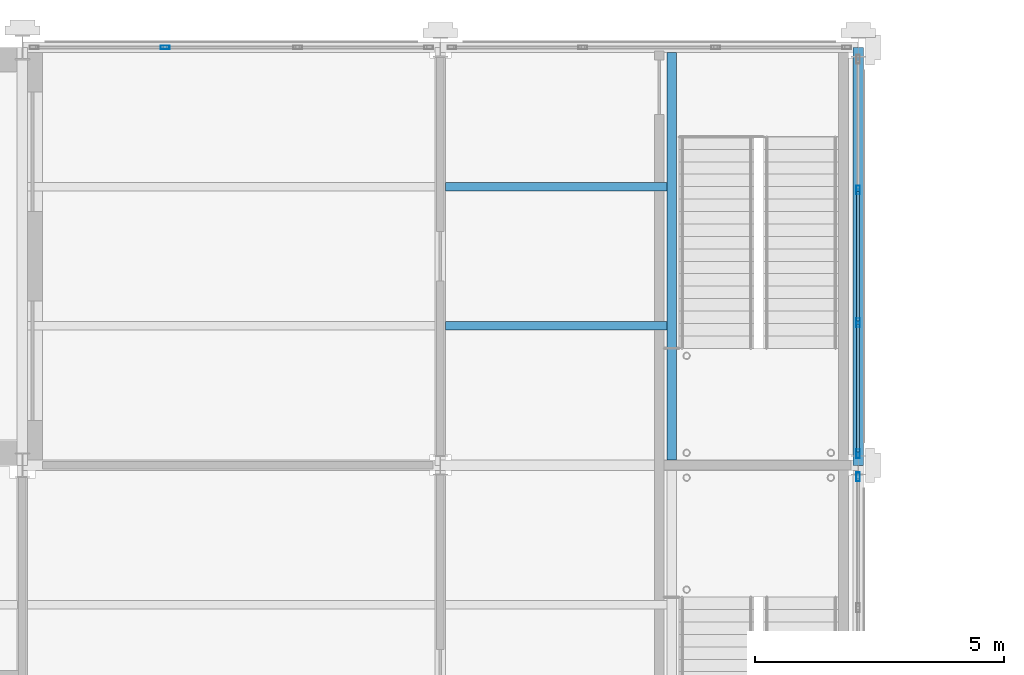
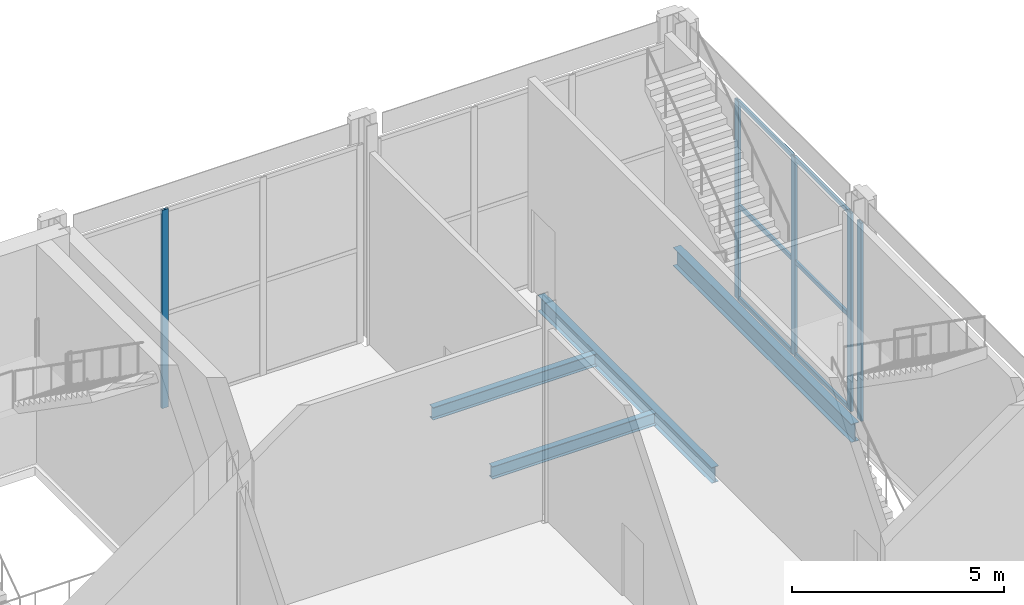
# One storey, part 42 of 77: 11 members, 4 beams, 3 elements without a shape of their own.
"""IFC4 building model written with IfcOpenShell, lengths in metres."""

from ifc_helpers import new_model, si_unit, direction, frame, origin, origin_2d, place, context, subcontext, project, spatial, hollow_rectangle, i_section, extrude, material, material_profile, profile_set, type_object, element, aggregate, save


model = new_model("IFC4")

# Units and contexts
model_context = context("Model", 3, precision=1e-05, world=origin(), true_north=direction((0.0, 1.0)))
body_context = subcontext(model_context, "Body", "Model", "MODEL_VIEW")
ifc_project = project(units=[si_unit("LENGTHUNIT", "METRE"), si_unit("AREAUNIT", "SQUARE_METRE"), si_unit("VOLUMEUNIT", "CUBIC_METRE"), si_unit("PLANEANGLEUNIT", "RADIAN"), si_unit("MASSUNIT", "GRAM", prefix="KILO")], contexts=[model_context])

# Site, building, storey
site_placement = place(None, origin())
site = spatial("IfcSite", under=ifc_project, at=site_placement, CompositionType="ELEMENT")
building_placement = place(site_placement, origin())
building = spatial("IfcBuilding", under=site, at=building_placement, Name="Catenary Quay Ferry Terminal", CompositionType="ELEMENT")
storey_placement = place(building_placement, frame((0.0, 0.0, 10.800048828125)))
storey = spatial("IfcBuildingStorey", under=building, at=storey_placement, Name="L02", CompositionType="ELEMENT", Elevation=10.800048828125)

# Beams
ifc_material_1 = material(Name="Steel S355", Category="steel")
ifc_material_profile_1 = material_profile(ifc_material_1, i_section(OverallWidth=0.18994140625, OverallDepth=0.453369140625, WebThickness=0.008544921875, FlangeThickness=0.0126953125, at=origin_2d()), Name="UB 457x191x67")
ifc_profile_set_1 = profile_set([ifc_material_profile_1], Name="Steel S355")
beam_type_1 = type_object("IfcBeamType", Name="B1 UB 457x191x67", PredefinedType="BEAM", material=ifc_profile_set_1)
beam_1_placement = place(storey_placement, frame((63.449951171875, 201.7041015625, -0.47705078125), z_axis=(0.0, 1.0, 0.0), x_axis=(-1.0, 0.0, 0.0)))
element("IfcBeam", 1, at=beam_1_placement, inside=storey, type_object=beam_type_1, Name="Beam B1-003", PredefinedType="BEAM", context=body_context, shape_type="SweptSolid", body=[
    extrude(i_section(OverallWidth=0.18994140625, OverallDepth=0.453369140625, WebThickness=0.008544921875, FlangeThickness=0.0126953125, at=origin_2d()), origin(), (0.0, 0.0, 1.0), 8.19189453125),
])
ifc_material_2 = material(Name="Steel S355", Category="steel")
ifc_material_profile_2 = material_profile(ifc_material_2, i_section(OverallWidth=0.208740234375, OverallDepth=0.5283203125, WebThickness=0.009521484375, FlangeThickness=0.01318359375, at=origin_2d()), Name="UB 533x210x82")
ifc_profile_set_2 = profile_set([ifc_material_profile_2], Name="Steel S355")
beam_type_2 = type_object("IfcBeamType", Name="B5 UB 533x210x82", PredefinedType="BEAM", material=ifc_profile_set_2)
beam_2_placement = place(storey_placement, frame((67.199951171875, 201.60009765625, -0.51416015625), z_axis=(0.0, 1.0, 0.0), x_axis=(-1.0, 0.0, 0.0)))
element("IfcBeam", 2, at=beam_2_placement, inside=storey, type_object=beam_type_2, Name="Beam B5-049", PredefinedType="BEAM", context=body_context, shape_type="SweptSolid", body=[
    extrude(i_section(OverallWidth=0.208740234375, OverallDepth=0.5283203125, WebThickness=0.009521484375, FlangeThickness=0.01318359375, at=origin_2d()), origin(), (0.0, 0.0, 1.0), 8.39990234375),
])
ifc_material_3 = material(Name="Steel S355", Category="steel")
ifc_material_profile_3 = material_profile(ifc_material_3, i_section(OverallWidth=0.169921875, OverallDepth=0.360107421875, WebThickness=0.008056640625, FlangeThickness=0.0126953125, at=origin_2d()), Name="IPE 360")
ifc_profile_set_3 = profile_set([ifc_material_profile_3], Name="Steel S355")
beam_type_3 = type_object("IfcBeamType", Name="B7 IPE 360", PredefinedType="BEAM", material=ifc_profile_set_3)
for number, where, z_axis, x_axis, name in (
    (3, (58.904052734375, 204.39990234375, -0.429931640625), (1.0, 0.0, 0.0), (0.0, 1.0, 0.0), "Beam B7-046"),
    (4, (58.904052734375, 207.199951171875, -0.429931640625), (1.0, 0.0, 0.0), (0.0, 1.0, 0.0), "Beam B7-048"),
):
    element("IfcBeam", number, at=place(storey_placement, frame(where, z_axis=z_axis, x_axis=x_axis)), inside=storey, type_object=beam_type_3, Name=name, PredefinedType="BEAM", context=body_context, shape_type="SweptSolid", body=[
        extrude(i_section(OverallWidth=0.169921875, OverallDepth=0.360107421875, WebThickness=0.008056640625, FlangeThickness=0.0126953125, at=origin_2d()), origin(), (0.0, 0.0, 1.0), 4.450927734375),
    ])

# Curtain wall, member
ifc_material_4 = material(Name="Aluminium and glass", Category="aluminium")
curtain_wall_type = type_object("IfcCurtainWallType", Name="CWW2", PredefinedType="NOTDEFINED", material=ifc_material_4)
curtain_wall_1_placement = place(storey_placement, origin())
curtain_wall_1 = element("IfcCurtainWall", 5, at=curtain_wall_1_placement, inside=storey, type_object=curtain_wall_type, Name="Wing curtain wall CW134", PredefinedType="NOTDEFINED")
ifc_material_5 = material(Name="Aluminium", Category="aluminium")
ifc_material_profile_4 = material_profile(ifc_material_5, hollow_rectangle(XDim=0.070068359375, YDim=0.179931640625, WallThickness=0.006103515625, at=origin_2d()), Name="MU3")
ifc_profile_set_4 = profile_set([ifc_material_profile_4], Name="Aluminium")
member_type_1 = type_object("IfcMemberType", Name="MU3", PredefinedType="MULLION", material=ifc_profile_set_4)
member_1_placement = place(storey_placement, frame((67.199951171875, 201.364990234375, 0.0), z_axis=(0.0, 0.0, 1.0), x_axis=(-1.0, 0.0, 0.0)))
member_1 = element("IfcMember", 6, at=member_1_placement, type_object=member_type_1, Name="CW134 mullion 4", PredefinedType="MULLION", context=body_context, shape_type="SweptSolid", body=[
    extrude(hollow_rectangle(XDim=0.070068359375, YDim=0.179931640625, WallThickness=0.006103515625, at=origin_2d()), origin(), (0.0, 0.0, 1.0), 5.699951171875),
])
aggregate(curtain_wall_1, [member_1])

# Curtain wall, members
curtain_wall_2_placement = place(storey_placement, origin())
curtain_wall_2 = element("IfcCurtainWall", 7, at=curtain_wall_2_placement, inside=storey, type_object=curtain_wall_type, Name="Wing curtain wall CW135", PredefinedType="NOTDEFINED")
member_2_placement = place(storey_placement, frame((67.199951171875, 201.8349609375, 0.0), z_axis=(0.0, 0.0, 1.0), x_axis=(-1.0, 0.0, 0.0)))
member_2 = element("IfcMember", 8, at=member_2_placement, type_object=member_type_1, Name="CW135 mullion 1", PredefinedType="MULLION", context=body_context, shape_type="SweptSolid", body=[
    extrude(hollow_rectangle(XDim=0.070068359375, YDim=0.179931640625, WallThickness=0.006103515625, at=origin_2d()), origin(), (0.0, 0.0, 1.0), 5.699951171875),
])
member_3_placement = place(storey_placement, frame((67.199951171875, 204.466552734375, 0.0), z_axis=(0.0, 0.0, 1.0), x_axis=(-1.0, 0.0, 0.0)))
member_3 = element("IfcMember", 9, at=member_3_placement, type_object=member_type_1, Name="CW135 mullion 2", PredefinedType="MULLION", context=body_context, shape_type="SweptSolid", body=[
    extrude(hollow_rectangle(XDim=0.070068359375, YDim=0.179931640625, WallThickness=0.006103515625, at=origin_2d()), origin(), (0.0, 0.0, 1.0), 5.699951171875),
])
member_4_placement = place(storey_placement, frame((67.199951171875, 207.13330078125, 0.0), z_axis=(0.0, 0.0, 1.0), x_axis=(-1.0, 0.0, 0.0)))
member_4 = element("IfcMember", 10, at=member_4_placement, type_object=member_type_1, Name="CW135 mullion 3", PredefinedType="MULLION", context=body_context, shape_type="SweptSolid", body=[
    extrude(hollow_rectangle(XDim=0.070068359375, YDim=0.179931640625, WallThickness=0.006103515625, at=origin_2d()), origin(), (0.0, 0.0, 1.0), 5.699951171875),
])

# Curtain wall, member
curtain_wall_3_placement = place(storey_placement, origin())
curtain_wall_3 = element("IfcCurtainWall", 11, at=curtain_wall_3_placement, inside=storey, type_object=curtain_wall_type, Name="Wing curtain wall CW136", PredefinedType="NOTDEFINED")
member_5_placement = place(storey_placement, frame((53.2666015625, 210.0, 0.0), z_axis=(0.0, 0.0, 1.0), x_axis=(0.0, 1.0, 0.0)))
member_5 = element("IfcMember", 12, at=member_5_placement, type_object=member_type_1, Name="CW136 mullion 2", PredefinedType="MULLION", context=body_context, shape_type="SweptSolid", body=[
    extrude(hollow_rectangle(XDim=0.070068359375, YDim=0.179931640625, WallThickness=0.006103515625, at=origin_2d()), origin(), (0.0, 0.0, 1.0), 5.699951171875),
])
aggregate(curtain_wall_3, [member_5])

# Member
ifc_material_6 = material(Name="Aluminium", Category="aluminium")
ifc_material_profile_5 = material_profile(ifc_material_6, hollow_rectangle(XDim=0.06005859375, YDim=0.1201171875, WallThickness=0.0048828125, at=origin_2d()), Name="TR3")
ifc_profile_set_5 = profile_set([ifc_material_profile_5], Name="Aluminium")
member_type_2 = type_object("IfcMemberType", Name="TR3", PredefinedType="USERDEFINED", material=ifc_profile_set_5)
member_6_placement = place(storey_placement, frame((67.199951171875, 201.8701171875, 0.030029296875), z_axis=(0.0, 1.0, 0.0), x_axis=(-1.0, 0.0, 0.0)))
member_6 = element("IfcMember", 13, at=member_6_placement, type_object=member_type_2, Name="CW135 transom 1.1", ObjectType="TRANSOM", PredefinedType="USERDEFINED", context=body_context, shape_type="SweptSolid", body=[
    extrude(hollow_rectangle(XDim=0.06005859375, YDim=0.1201171875, WallThickness=0.0048828125, at=origin_2d()), origin(), (0.0, 0.0, 1.0), 2.5615234375),
])

member_7_placement = place(storey_placement, frame((67.199951171875, 201.8701171875, 2.699951171875), z_axis=(0.0, 1.0, 0.0), x_axis=(-1.0, 0.0, 0.0)))
member_7 = element("IfcMember", 14, at=member_7_placement, type_object=member_type_2, Name="CW135 transom 1.2", ObjectType="TRANSOM", PredefinedType="USERDEFINED", context=body_context, shape_type="SweptSolid", body=[
    extrude(hollow_rectangle(XDim=0.06005859375, YDim=0.1201171875, WallThickness=0.0048828125, at=origin_2d()), origin(), (0.0, 0.0, 1.0), 2.5615234375),
])

member_8_placement = place(storey_placement, frame((67.199951171875, 201.8701171875, 5.669921875), z_axis=(0.0, 1.0, 0.0), x_axis=(-1.0, 0.0, 0.0)))
member_8 = element("IfcMember", 15, at=member_8_placement, type_object=member_type_2, Name="CW135 transom 1.3", ObjectType="TRANSOM", PredefinedType="USERDEFINED", context=body_context, shape_type="SweptSolid", body=[
    extrude(hollow_rectangle(XDim=0.06005859375, YDim=0.1201171875, WallThickness=0.0048828125, at=origin_2d()), origin(), (0.0, 0.0, 1.0), 2.5615234375),
])

member_9_placement = place(storey_placement, frame((67.199951171875, 204.501708984375, 0.030029296875), z_axis=(0.0, 1.0, 0.0), x_axis=(-1.0, 0.0, 0.0)))
member_9 = element("IfcMember", 16, at=member_9_placement, type_object=member_type_2, Name="CW135 transom 2.1", ObjectType="TRANSOM", PredefinedType="USERDEFINED", context=body_context, shape_type="SweptSolid", body=[
    extrude(hollow_rectangle(XDim=0.06005859375, YDim=0.1201171875, WallThickness=0.0048828125, at=origin_2d()), origin(), (0.0, 0.0, 1.0), 2.5966796875),
])

member_10_placement = place(storey_placement, frame((67.199951171875, 204.501708984375, 2.699951171875), z_axis=(0.0, 1.0, 0.0), x_axis=(-1.0, 0.0, 0.0)))
member_10 = element("IfcMember", 17, at=member_10_placement, type_object=member_type_2, Name="CW135 transom 2.2", ObjectType="TRANSOM", PredefinedType="USERDEFINED", context=body_context, shape_type="SweptSolid", body=[
    extrude(hollow_rectangle(XDim=0.06005859375, YDim=0.1201171875, WallThickness=0.0048828125, at=origin_2d()), origin(), (0.0, 0.0, 1.0), 2.5966796875),
])

member_11_placement = place(storey_placement, frame((67.199951171875, 204.501708984375, 5.669921875), z_axis=(0.0, 1.0, 0.0), x_axis=(-1.0, 0.0, 0.0)))
member_11 = element("IfcMember", 18, at=member_11_placement, type_object=member_type_2, Name="CW135 transom 2.3", ObjectType="TRANSOM", PredefinedType="USERDEFINED", context=body_context, shape_type="SweptSolid", body=[
    extrude(hollow_rectangle(XDim=0.06005859375, YDim=0.1201171875, WallThickness=0.0048828125, at=origin_2d()), origin(), (0.0, 0.0, 1.0), 2.5966796875),
])

aggregate(curtain_wall_2, [member_2, member_3, member_4, member_6, member_7, member_8, member_9, member_10, member_11])

save(model, "model.ifc")
